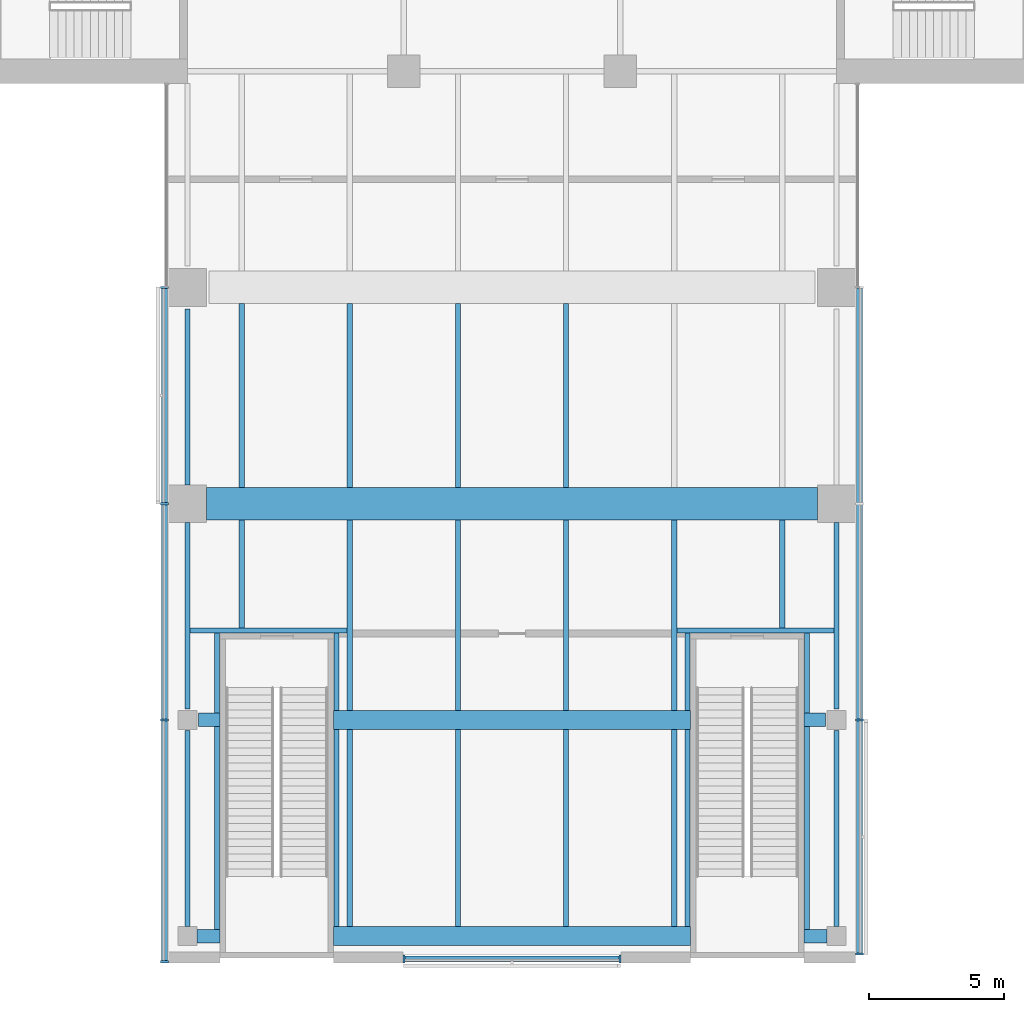
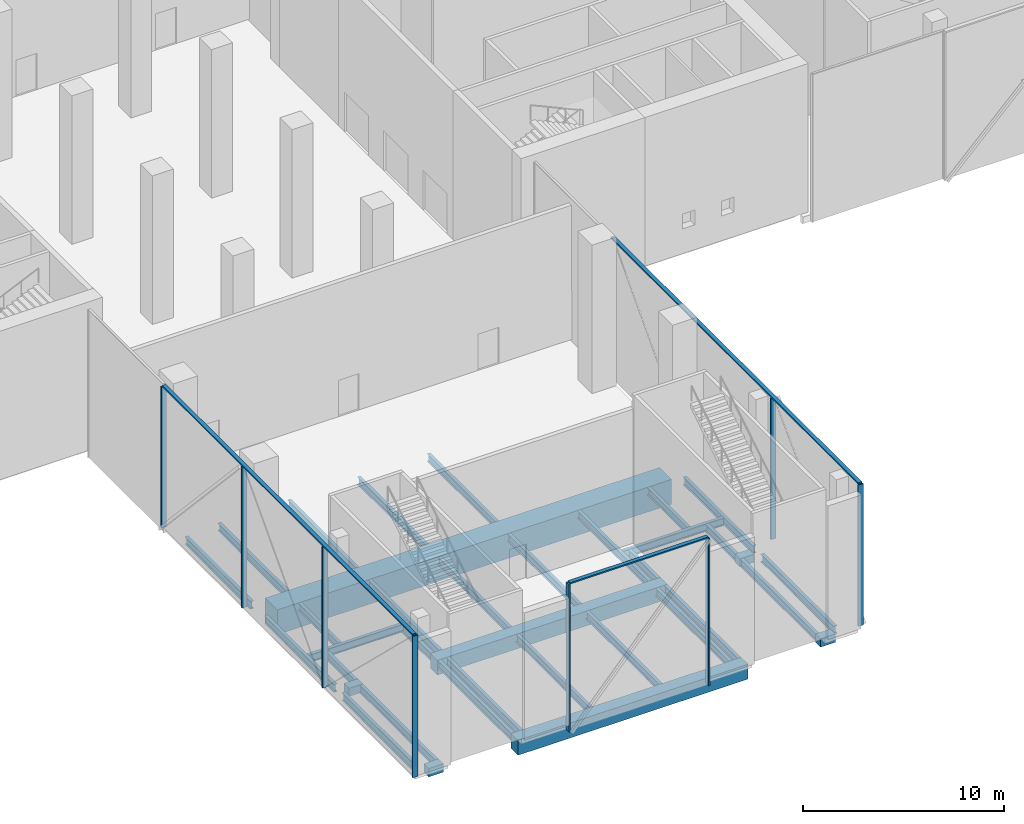
# One storey, part 2 of 26: 36 beams, 11 members, 3 elements without a shape of their own.
"""IFC4 building model written with IfcOpenShell, lengths in metres."""

from ifc_helpers import new_model, si_unit, direction, frame, origin, origin_2d, place, context, subcontext, project, spatial, rectangle, i_section, extrude, material, material_profile, profile_set, type_object, element, aggregate, save


model = new_model("IFC4")

# Units and contexts
model_context = context("Model", 3, precision=1e-05, world=origin(), true_north=direction((0.0, 1.0)))
body_context = subcontext(model_context, "Body", "Model", "MODEL_VIEW")
ifc_project = project(units=[si_unit("LENGTHUNIT", "METRE"), si_unit("AREAUNIT", "SQUARE_METRE"), si_unit("VOLUMEUNIT", "CUBIC_METRE"), si_unit("PLANEANGLEUNIT", "RADIAN"), si_unit("MASSUNIT", "GRAM", prefix="KILO")], contexts=[model_context])

# Site, building, storey
site_placement = place(None, origin())
site = spatial("IfcSite", under=ifc_project, at=site_placement, CompositionType="ELEMENT")
building_placement = place(site_placement, origin())
building = spatial("IfcBuilding", under=site, at=building_placement, Name="Crosswind Convention Tower", CompositionType="ELEMENT")
storey_placement = place(building_placement, frame((0.0, 0.0, 25.0)))
storey = spatial("IfcBuildingStorey", under=building, at=storey_placement, Name="L03", CompositionType="ELEMENT", Elevation=25.0)

# Beams
ifc_material_1 = material(Name="Steel S355", Category="steel")
ifc_material_profile_1 = material_profile(ifc_material_1, i_section(OverallWidth=0.19287109375, OverallDepth=0.467529296875, WebThickness=0.011474609375, FlangeThickness=0.01953125, FilletRadius=0.01025390625, at=origin_2d()), Name="UB 457x191x98")
ifc_profile_set_1 = profile_set([ifc_material_profile_1], Name="Steel S355")
beam_type_1 = type_object("IfcBeamType", Name="Edge beam UB 457x191x98", PredefinedType="SPANDREL", material=ifc_profile_set_1)
beam_1_placement = place(storey_placement, frame((113.0, 56.35009765625, -0.6337890625), z_axis=(0.0, 1.0, 0.0), x_axis=(-1.0, 0.0, 0.0)))
element("IfcBeam", 1, at=beam_1_placement, inside=storey, type_object=beam_type_1, Name="B20 L03 edge beam 5", PredefinedType="SPANDREL", context=body_context, shape_type="SweptSolid", body=[
    extrude(i_section(OverallWidth=0.19287109375, OverallDepth=0.467529296875, WebThickness=0.011474609375, FlangeThickness=0.01953125, FilletRadius=0.01025390625, at=origin_2d()), origin(), (0.0, 0.0, 1.0), 7.25),
])
beam_2_placement = place(storey_placement, frame((113.0, 64.39990234375, -0.6337890625), z_axis=(0.0, 1.0, 0.0), x_axis=(-1.0, 0.0, 0.0)))
element("IfcBeam", 2, at=beam_2_placement, inside=storey, type_object=beam_type_1, Name="B20 L03 edge beam 6", PredefinedType="SPANDREL", context=body_context, shape_type="SweptSolid", body=[
    extrude(i_section(OverallWidth=0.19287109375, OverallDepth=0.467529296875, WebThickness=0.011474609375, FlangeThickness=0.01953125, FilletRadius=0.01025390625, at=origin_2d()), origin(), (0.0, 0.0, 1.0), 6.900146484375),
])
beam_3_placement = place(storey_placement, frame((113.0, 72.699951171875, -0.6337890625), z_axis=(0.0, 1.0, 0.0), x_axis=(-1.0, 0.0, 0.0)))
element("IfcBeam", 3, at=beam_3_placement, inside=storey, type_object=beam_type_1, Name="B20 L03 edge beam 7", PredefinedType="SPANDREL", context=body_context, shape_type="SweptSolid", body=[
    extrude(i_section(OverallWidth=0.19287109375, OverallDepth=0.467529296875, WebThickness=0.011474609375, FlangeThickness=0.01953125, FilletRadius=0.01025390625, at=origin_2d()), origin(), (0.0, 0.0, 1.0), 6.5),
])
beam_4_placement = place(storey_placement, frame((137.0, 56.35009765625, -0.6337890625), z_axis=(0.0, 1.0, 0.0), x_axis=(-1.0, 0.0, 0.0)))
element("IfcBeam", 4, at=beam_4_placement, inside=storey, type_object=beam_type_1, Name="B20 L03 edge beam 13", PredefinedType="SPANDREL", context=body_context, shape_type="SweptSolid", body=[
    extrude(i_section(OverallWidth=0.19287109375, OverallDepth=0.467529296875, WebThickness=0.011474609375, FlangeThickness=0.01953125, FilletRadius=0.01025390625, at=origin_2d()), origin(), (0.0, 0.0, 1.0), 7.25),
])
beam_5_placement = place(storey_placement, frame((137.0, 64.39990234375, -0.6337890625), z_axis=(0.0, 1.0, 0.0), x_axis=(-1.0, 0.0, 0.0)))
element("IfcBeam", 5, at=beam_5_placement, inside=storey, type_object=beam_type_1, Name="B20 L03 edge beam 14", PredefinedType="SPANDREL", context=body_context, shape_type="SweptSolid", body=[
    extrude(i_section(OverallWidth=0.19287109375, OverallDepth=0.467529296875, WebThickness=0.011474609375, FlangeThickness=0.01953125, FilletRadius=0.01025390625, at=origin_2d()), origin(), (0.0, 0.0, 1.0), 6.900146484375),
])

# Curtain wall, members
ifc_material_2 = material(Name="Aluminium unitised curtain wall", Category="aluminium")
curtain_wall_type = type_object("IfcCurtainWallType", Name="PODIUM UNITISED WALL 300", PredefinedType="USERDEFINED", material=ifc_material_2)
curtain_wall_1_placement = place(storey_placement, origin())
curtain_wall_1 = element("IfcCurtainWall", 6, at=curtain_wall_1_placement, inside=storey, type_object=curtain_wall_type, Name="CW1 L03 S-W 1", ObjectType="UNITISED", PredefinedType="USERDEFINED")
ifc_material_3 = material(Name="Aluminium mullion", Category="aluminium")
ifc_material_profile_2 = material_profile(ifc_material_3, rectangle(XDim=0.300048828125, YDim=0.080078125, at=origin_2d()), Name="AL 300X80")
ifc_profile_set_2 = profile_set([ifc_material_profile_2], Name="Aluminium mullion")
member_type_1 = type_object("IfcMemberType", Name="MULLION 80X300", PredefinedType="MULLION", material=ifc_profile_set_2)
member_1_placement = place(storey_placement, frame((112.14990234375, 80.0, -0.044921875), z_axis=(0.0, 0.0, 1.0), x_axis=(-1.0, 0.0, 0.0)))
member_1 = element("IfcMember", 7, at=member_1_placement, type_object=member_type_1, Name="CW1 mullion 1", PredefinedType="MULLION", context=body_context, shape_type="SweptSolid", body=[
    extrude(rectangle(XDim=0.300048828125, YDim=0.080078125, at=origin_2d()), origin(), (0.0, 0.0, 1.0), 8.56494140625),
])
member_2_placement = place(storey_placement, frame((112.14990234375, 72.0, -0.044921875), z_axis=(0.0, 0.0, 1.0), x_axis=(-1.0, 0.0, 0.0)))
member_2 = element("IfcMember", 8, at=member_2_placement, type_object=member_type_1, Name="CW1 mullion 2", PredefinedType="MULLION", context=body_context, shape_type="SweptSolid", body=[
    extrude(rectangle(XDim=0.300048828125, YDim=0.080078125, at=origin_2d()), origin(), (0.0, 0.0, 1.0), 8.56494140625),
])
member_3_placement = place(storey_placement, frame((112.14990234375, 64.0, -0.044921875), z_axis=(0.0, 0.0, 1.0), x_axis=(-1.0, 0.0, 0.0)))
member_3 = element("IfcMember", 9, at=member_3_placement, type_object=member_type_1, Name="CW1 mullion 3", PredefinedType="MULLION", context=body_context, shape_type="SweptSolid", body=[
    extrude(rectangle(XDim=0.300048828125, YDim=0.080078125, at=origin_2d()), origin(), (0.0, 0.0, 1.0), 8.56494140625),
])
member_4_placement = place(storey_placement, frame((112.14990234375, 55.054931640625, -0.044921875), z_axis=(0.0, 0.0, 1.0), x_axis=(-1.0, 0.0, 0.0)))
member_4 = element("IfcMember", 10, at=member_4_placement, type_object=member_type_1, Name="CW1 mullion 4", PredefinedType="MULLION", context=body_context, shape_type="SweptSolid", body=[
    extrude(rectangle(XDim=0.300048828125, YDim=0.080078125, at=origin_2d()), origin(), (0.0, 0.0, 1.0), 8.56494140625),
])

curtain_wall_2_placement = place(storey_placement, origin())
curtain_wall_2 = element("IfcCurtainWall", 11, at=curtain_wall_2_placement, inside=storey, type_object=curtain_wall_type, Name="CW1 L03 S-TIP 1", ObjectType="UNITISED", PredefinedType="USERDEFINED")
member_5_placement = place(storey_placement, frame((121.0, 55.14990234375, -0.39990234375), z_axis=(0.0, 0.0, 1.0), x_axis=(0.0, -1.0, 0.0)))
member_5 = element("IfcMember", 12, at=member_5_placement, type_object=member_type_1, Name="CW1 mullion 1", PredefinedType="MULLION", context=body_context, shape_type="SweptSolid", body=[
    extrude(rectangle(XDim=0.300048828125, YDim=0.080078125, at=origin_2d()), origin(), (0.0, 0.0, 1.0), 8.919921875),
])
member_6_placement = place(storey_placement, frame((129.0, 55.14990234375, -0.39990234375), z_axis=(0.0, 0.0, 1.0), x_axis=(0.0, -1.0, 0.0)))
member_6 = element("IfcMember", 13, at=member_6_placement, type_object=member_type_1, Name="CW1 mullion 2", PredefinedType="MULLION", context=body_context, shape_type="SweptSolid", body=[
    extrude(rectangle(XDim=0.300048828125, YDim=0.080078125, at=origin_2d()), origin(), (0.0, 0.0, 1.0), 8.919921875),
])

curtain_wall_3_placement = place(storey_placement, origin())
curtain_wall_3 = element("IfcCurtainWall", 14, at=curtain_wall_3_placement, inside=storey, type_object=curtain_wall_type, Name="CW1 L03 S-E 1", ObjectType="UNITISED", PredefinedType="USERDEFINED")
member_7_placement = place(storey_placement, frame((137.85009765625, 55.340087890625, -0.044921875), z_axis=(0.0, 0.0, 1.0), x_axis=(1.0, 0.0, 0.0)))
member_7 = element("IfcMember", 15, at=member_7_placement, type_object=member_type_1, Name="CW1 mullion 1", PredefinedType="MULLION", context=body_context, shape_type="SweptSolid", body=[
    extrude(rectangle(XDim=0.300048828125, YDim=0.080078125, at=origin_2d()), origin(), (0.0, 0.0, 1.0), 8.56494140625),
])
member_8_placement = place(storey_placement, frame((137.85009765625, 64.0, -0.044921875), z_axis=(0.0, 0.0, 1.0), x_axis=(1.0, 0.0, 0.0)))
member_8 = element("IfcMember", 16, at=member_8_placement, type_object=member_type_1, Name="CW1 mullion 2", PredefinedType="MULLION", context=body_context, shape_type="SweptSolid", body=[
    extrude(rectangle(XDim=0.300048828125, YDim=0.080078125, at=origin_2d()), origin(), (0.0, 0.0, 1.0), 8.56494140625),
])

# Beams
ifc_material_4 = material(Name="Concrete C70/85", Category="concrete")
ifc_material_profile_3 = material_profile(ifc_material_4, rectangle(XDim=1.199951171875, YDim=1.5, at=origin_2d()), Name="RC 1200X1500")
ifc_profile_set_3 = profile_set([ifc_material_profile_3], Name="Concrete C70/85")
beam_type_2 = type_object("IfcBeamType", Name="Prestressed concrete girder RC 1200X1500", PredefinedType="BEAM", material=ifc_profile_set_3)
beam_6_placement = place(storey_placement, frame((113.699951171875, 72.0, -1.14990234375), z_axis=(1.0, 0.0, 0.0), x_axis=(0.0, 1.0, 0.0)))
element("IfcBeam", 17, at=beam_6_placement, inside=storey, type_object=beam_type_2, Name="B39 L03 prestressed concrete girder 1", PredefinedType="BEAM", context=body_context, shape_type="SweptSolid", body=[
    extrude(rectangle(XDim=1.199951171875, YDim=1.5, at=origin_2d()), origin(), (0.0, 0.0, 1.0), 22.60009765625),
])
ifc_material_5 = material(Name="Concrete C60/75", Category="concrete")
ifc_material_profile_4 = material_profile(ifc_material_5, rectangle(XDim=0.699951171875, YDim=0.89990234375, at=origin_2d()), Name="RC 700X900")
ifc_profile_set_4 = profile_set([ifc_material_profile_4], Name="Concrete C60/75")
beam_type_3 = type_object("IfcBeamType", Name="Prestressed concrete girder between stair walls RC 700X900", PredefinedType="BEAM", material=ifc_profile_set_4)
for number, where, z_axis, x_axis, name in (
    (18, (118.39990234375, 56.0, -0.85009765625), (1.0, 0.0, 0.0), (0.0, 1.0, 0.0), "B41 L03 prestressed concrete girder between stair walls 3"),
    (19, (118.39990234375, 64.0, -0.85009765625), (1.0, 0.0, 0.0), (0.0, 1.0, 0.0), "B41 L03 prestressed concrete girder between stair walls 4"),
):
    element("IfcBeam", number, at=place(storey_placement, frame(where, z_axis=z_axis, x_axis=x_axis)), inside=storey, type_object=beam_type_3, Name=name, PredefinedType="BEAM", context=body_context, shape_type="SweptSolid", body=[
        extrude(rectangle(XDim=0.699951171875, YDim=0.89990234375, at=origin_2d()), origin(), (0.0, 0.0, 1.0), 13.2001953125),
    ])
ifc_material_profile_5 = material_profile(ifc_material_1, i_section(OverallWidth=0.19140625, OverallDepth=0.460205078125, WebThickness=0.010009765625, FlangeThickness=0.01611328125, FilletRadius=0.01025390625, at=origin_2d()), Name="UB 457x191x82")
ifc_profile_set_5 = profile_set([ifc_material_profile_5], Name="Steel S355")
beam_type_4 = type_object("IfcBeamType", Name="Secondary beam UB 457x191x82", PredefinedType="JOIST", material=ifc_profile_set_5)
beam_7_placement = place(storey_placement, frame((115.0, 67.406005859375, -0.630126953125), z_axis=(0.0, 1.0, 0.0), x_axis=(-1.0, 0.0, 0.0)))
element("IfcBeam", 20, at=beam_7_placement, inside=storey, type_object=beam_type_4, Name="B13 L03 secondary beam 14", PredefinedType="JOIST", context=body_context, shape_type="SweptSolid", body=[
    extrude(i_section(OverallWidth=0.19140625, OverallDepth=0.460205078125, WebThickness=0.010009765625, FlangeThickness=0.01611328125, FilletRadius=0.01025390625, at=origin_2d()), origin(), (0.0, 0.0, 1.0), 3.993896484375),
])
beam_8_placement = place(storey_placement, frame((115.0, 72.60009765625, -0.630126953125), z_axis=(0.0, 1.0, 0.0), x_axis=(-1.0, 0.0, 0.0)))
element("IfcBeam", 21, at=beam_8_placement, inside=storey, type_object=beam_type_4, Name="B13 L03 secondary beam 15", PredefinedType="JOIST", context=body_context, shape_type="SweptSolid", body=[
    extrude(i_section(OverallWidth=0.19140625, OverallDepth=0.460205078125, WebThickness=0.010009765625, FlangeThickness=0.01611328125, FilletRadius=0.01025390625, at=origin_2d()), origin(), (0.0, 0.0, 1.0), 6.7998046875),
])
beam_9_placement = place(storey_placement, frame((119.0, 56.35009765625, -0.630126953125), z_axis=(0.0, 1.0, 0.0), x_axis=(-1.0, 0.0, 0.0)))
element("IfcBeam", 22, at=beam_9_placement, inside=storey, type_object=beam_type_4, Name="B13 L03 secondary beam 20", PredefinedType="JOIST", context=body_context, shape_type="SweptSolid", body=[
    extrude(i_section(OverallWidth=0.19140625, OverallDepth=0.460205078125, WebThickness=0.010009765625, FlangeThickness=0.01611328125, FilletRadius=0.01025390625, at=origin_2d()), origin(), (0.0, 0.0, 1.0), 7.2998046875),
])
beam_10_placement = place(storey_placement, frame((119.0, 64.35009765625, -0.630126953125), z_axis=(0.0, 1.0, 0.0), x_axis=(-1.0, 0.0, 0.0)))
element("IfcBeam", 23, at=beam_10_placement, inside=storey, type_object=beam_type_4, Name="B13 L03 secondary beam 21", PredefinedType="JOIST", context=body_context, shape_type="SweptSolid", body=[
    extrude(i_section(OverallWidth=0.19140625, OverallDepth=0.460205078125, WebThickness=0.010009765625, FlangeThickness=0.01611328125, FilletRadius=0.01025390625, at=origin_2d()), origin(), (0.0, 0.0, 1.0), 7.0498046875),
])
beam_11_placement = place(storey_placement, frame((119.0, 72.60009765625, -0.630126953125), z_axis=(0.0, 1.0, 0.0), x_axis=(-1.0, 0.0, 0.0)))
element("IfcBeam", 24, at=beam_11_placement, inside=storey, type_object=beam_type_4, Name="B13 L03 secondary beam 22", PredefinedType="JOIST", context=body_context, shape_type="SweptSolid", body=[
    extrude(i_section(OverallWidth=0.19140625, OverallDepth=0.460205078125, WebThickness=0.010009765625, FlangeThickness=0.01611328125, FilletRadius=0.01025390625, at=origin_2d()), origin(), (0.0, 0.0, 1.0), 6.7998046875),
])
beam_12_placement = place(storey_placement, frame((123.0, 56.35009765625, -0.630126953125), z_axis=(0.0, 1.0, 0.0), x_axis=(-1.0, 0.0, 0.0)))
element("IfcBeam", 25, at=beam_12_placement, inside=storey, type_object=beam_type_4, Name="B13 L03 secondary beam 31", PredefinedType="JOIST", context=body_context, shape_type="SweptSolid", body=[
    extrude(i_section(OverallWidth=0.19140625, OverallDepth=0.460205078125, WebThickness=0.010009765625, FlangeThickness=0.01611328125, FilletRadius=0.01025390625, at=origin_2d()), origin(), (0.0, 0.0, 1.0), 7.2998046875),
])
beam_13_placement = place(storey_placement, frame((123.0, 64.35009765625, -0.630126953125), z_axis=(0.0, 1.0, 0.0), x_axis=(-1.0, 0.0, 0.0)))
element("IfcBeam", 26, at=beam_13_placement, inside=storey, type_object=beam_type_4, Name="B13 L03 secondary beam 32", PredefinedType="JOIST", context=body_context, shape_type="SweptSolid", body=[
    extrude(i_section(OverallWidth=0.19140625, OverallDepth=0.460205078125, WebThickness=0.010009765625, FlangeThickness=0.01611328125, FilletRadius=0.01025390625, at=origin_2d()), origin(), (0.0, 0.0, 1.0), 7.0498046875),
])
beam_14_placement = place(storey_placement, frame((123.0, 72.60009765625, -0.630126953125), z_axis=(0.0, 1.0, 0.0), x_axis=(-1.0, 0.0, 0.0)))
element("IfcBeam", 27, at=beam_14_placement, inside=storey, type_object=beam_type_4, Name="B13 L03 secondary beam 33", PredefinedType="JOIST", context=body_context, shape_type="SweptSolid", body=[
    extrude(i_section(OverallWidth=0.19140625, OverallDepth=0.460205078125, WebThickness=0.010009765625, FlangeThickness=0.01611328125, FilletRadius=0.01025390625, at=origin_2d()), origin(), (0.0, 0.0, 1.0), 6.7998046875),
])
beam_15_placement = place(storey_placement, frame((127.0, 56.35009765625, -0.630126953125), z_axis=(0.0, 1.0, 0.0), x_axis=(-1.0, 0.0, 0.0)))
element("IfcBeam", 28, at=beam_15_placement, inside=storey, type_object=beam_type_4, Name="B13 L03 secondary beam 39", PredefinedType="JOIST", context=body_context, shape_type="SweptSolid", body=[
    extrude(i_section(OverallWidth=0.19140625, OverallDepth=0.460205078125, WebThickness=0.010009765625, FlangeThickness=0.01611328125, FilletRadius=0.01025390625, at=origin_2d()), origin(), (0.0, 0.0, 1.0), 7.2998046875),
])
beam_16_placement = place(storey_placement, frame((127.0, 64.35009765625, -0.630126953125), z_axis=(0.0, 1.0, 0.0), x_axis=(-1.0, 0.0, 0.0)))
element("IfcBeam", 29, at=beam_16_placement, inside=storey, type_object=beam_type_4, Name="B13 L03 secondary beam 40", PredefinedType="JOIST", context=body_context, shape_type="SweptSolid", body=[
    extrude(i_section(OverallWidth=0.19140625, OverallDepth=0.460205078125, WebThickness=0.010009765625, FlangeThickness=0.01611328125, FilletRadius=0.01025390625, at=origin_2d()), origin(), (0.0, 0.0, 1.0), 7.0498046875),
])
beam_17_placement = place(storey_placement, frame((127.0, 72.60009765625, -0.630126953125), z_axis=(0.0, 1.0, 0.0), x_axis=(-1.0, 0.0, 0.0)))
element("IfcBeam", 30, at=beam_17_placement, inside=storey, type_object=beam_type_4, Name="B13 L03 secondary beam 41", PredefinedType="JOIST", context=body_context, shape_type="SweptSolid", body=[
    extrude(i_section(OverallWidth=0.19140625, OverallDepth=0.460205078125, WebThickness=0.010009765625, FlangeThickness=0.01611328125, FilletRadius=0.01025390625, at=origin_2d()), origin(), (0.0, 0.0, 1.0), 6.7998046875),
])
beam_18_placement = place(storey_placement, frame((131.0, 56.35009765625, -0.630126953125), z_axis=(0.0, 1.0, 0.0), x_axis=(-1.0, 0.0, 0.0)))
element("IfcBeam", 31, at=beam_18_placement, inside=storey, type_object=beam_type_4, Name="B13 L03 secondary beam 50", PredefinedType="JOIST", context=body_context, shape_type="SweptSolid", body=[
    extrude(i_section(OverallWidth=0.19140625, OverallDepth=0.460205078125, WebThickness=0.010009765625, FlangeThickness=0.01611328125, FilletRadius=0.01025390625, at=origin_2d()), origin(), (0.0, 0.0, 1.0), 7.2998046875),
])
beam_19_placement = place(storey_placement, frame((131.0, 64.35009765625, -0.630126953125), z_axis=(0.0, 1.0, 0.0), x_axis=(-1.0, 0.0, 0.0)))
element("IfcBeam", 32, at=beam_19_placement, inside=storey, type_object=beam_type_4, Name="B13 L03 secondary beam 51", PredefinedType="JOIST", context=body_context, shape_type="SweptSolid", body=[
    extrude(i_section(OverallWidth=0.19140625, OverallDepth=0.460205078125, WebThickness=0.010009765625, FlangeThickness=0.01611328125, FilletRadius=0.01025390625, at=origin_2d()), origin(), (0.0, 0.0, 1.0), 7.0498046875),
])
beam_20_placement = place(storey_placement, frame((135.0, 67.406005859375, -0.630126953125), z_axis=(0.0, 1.0, 0.0), x_axis=(-1.0, 0.0, 0.0)))
element("IfcBeam", 33, at=beam_20_placement, inside=storey, type_object=beam_type_4, Name="B13 L03 secondary beam 58", PredefinedType="JOIST", context=body_context, shape_type="SweptSolid", body=[
    extrude(i_section(OverallWidth=0.19140625, OverallDepth=0.460205078125, WebThickness=0.010009765625, FlangeThickness=0.01611328125, FilletRadius=0.01025390625, at=origin_2d()), origin(), (0.0, 0.0, 1.0), 3.993896484375),
])
ifc_material_profile_6 = material_profile(ifc_material_5, rectangle(XDim=0.5, YDim=0.5, at=origin_2d()), Name="RC 500X500")
ifc_profile_set_6 = profile_set([ifc_material_profile_6], Name="Concrete C60/75")
beam_type_5 = type_object("IfcBeamType", Name="Slab edge tie beam RC 500X500", PredefinedType="BEAM", material=ifc_profile_set_6)
beam_21_placement = place(storey_placement, frame((113.35009765625, 56.0, -0.64990234375), z_axis=(1.0, 0.0, 0.0), x_axis=(0.0, 1.0, 0.0)))
element("IfcBeam", 34, at=beam_21_placement, inside=storey, type_object=beam_type_5, Name="B42 L03 slab edge tie beam 5", PredefinedType="BEAM", context=body_context, shape_type="SweptSolid", body=[
    extrude(rectangle(XDim=0.5, YDim=0.5, at=origin_2d()), origin(), (0.0, 0.0, 1.0), 0.849853515625),
])
beam_22_placement = place(storey_placement, frame((113.39990234375, 64.0, -0.64990234375), z_axis=(1.0, 0.0, 0.0), x_axis=(0.0, 1.0, 0.0)))
element("IfcBeam", 35, at=beam_22_placement, inside=storey, type_object=beam_type_5, Name="B42 L03 slab edge tie beam 7", PredefinedType="BEAM", context=body_context, shape_type="SweptSolid", body=[
    extrude(rectangle(XDim=0.5, YDim=0.5, at=origin_2d()), origin(), (0.0, 0.0, 1.0), 0.800048828125),
])
beam_23_placement = place(storey_placement, frame((135.800048828125, 56.0, -0.64990234375), z_axis=(1.0, 0.0, 0.0), x_axis=(0.0, 1.0, 0.0)))
element("IfcBeam", 36, at=beam_23_placement, inside=storey, type_object=beam_type_5, Name="B42 L03 slab edge tie beam 9", PredefinedType="BEAM", context=body_context, shape_type="SweptSolid", body=[
    extrude(rectangle(XDim=0.5, YDim=0.5, at=origin_2d()), origin(), (0.0, 0.0, 1.0), 0.849853515625),
])
beam_24_placement = place(storey_placement, frame((135.800048828125, 64.0, -0.64990234375), z_axis=(1.0, 0.0, 0.0), x_axis=(0.0, 1.0, 0.0)))
element("IfcBeam", 37, at=beam_24_placement, inside=storey, type_object=beam_type_5, Name="B42 L03 slab edge tie beam 10", PredefinedType="BEAM", context=body_context, shape_type="SweptSolid", body=[
    extrude(rectangle(XDim=0.5, YDim=0.5, at=origin_2d()), origin(), (0.0, 0.0, 1.0), 0.800048828125),
])

# Member
ifc_material_6 = material(Name="Aluminium transom", Category="aluminium")
ifc_material_profile_7 = material_profile(ifc_material_6, rectangle(XDim=0.219970703125, YDim=0.080078125, at=origin_2d()), Name="AL 220X80")
ifc_profile_set_7 = profile_set([ifc_material_profile_7], Name="Aluminium transom")
member_type_2 = type_object("IfcMemberType", Name="TRANSOM 80X220", PredefinedType="USERDEFINED", material=ifc_profile_set_7)
member_9_placement = place(storey_placement, frame((112.14990234375, 79.9599609375, 8.56005859375), z_axis=(0.0, -1.0, 0.0), x_axis=(1.0, 0.0, 0.0)))
member_9 = element("IfcMember", 38, at=member_9_placement, type_object=member_type_2, Name="CW1 transom", ObjectType="TRANSOM", PredefinedType="USERDEFINED", context=body_context, shape_type="SweptSolid", body=[
    extrude(rectangle(XDim=0.219970703125, YDim=0.080078125, at=origin_2d()), origin(), (0.0, 0.0, 1.0), 24.864990234375),
])

aggregate(curtain_wall_1, [member_1, member_2, member_3, member_4, member_9])

member_10_placement = place(storey_placement, frame((121.0400390625, 55.14990234375, 8.56005859375), z_axis=(1.0, 0.0, 0.0), x_axis=(0.0, 1.0, 0.0)))
member_10 = element("IfcMember", 39, at=member_10_placement, type_object=member_type_2, Name="CW1 transom", ObjectType="TRANSOM", PredefinedType="USERDEFINED", context=body_context, shape_type="SweptSolid", body=[
    extrude(rectangle(XDim=0.219970703125, YDim=0.080078125, at=origin_2d()), origin(), (0.0, 0.0, 1.0), 7.919921875),
])

aggregate(curtain_wall_2, [member_5, member_6, member_10])

member_11_placement = place(storey_placement, frame((137.85009765625, 55.3798828125, 8.56005859375), z_axis=(0.0, 1.0, 0.0), x_axis=(-1.0, 0.0, 0.0)))
member_11 = element("IfcMember", 40, at=member_11_placement, type_object=member_type_2, Name="CW1 transom", ObjectType="TRANSOM", PredefinedType="USERDEFINED", context=body_context, shape_type="SweptSolid", body=[
    extrude(rectangle(XDim=0.219970703125, YDim=0.080078125, at=origin_2d()), origin(), (0.0, 0.0, 1.0), 24.580078125),
])

aggregate(curtain_wall_3, [member_7, member_8, member_11])

# Beams
ifc_material_profile_8 = material_profile(ifc_material_1, i_section(OverallWidth=0.19189453125, OverallDepth=0.463623046875, WebThickness=0.010498046875, FlangeThickness=0.017578125, FilletRadius=0.01025390625, at=origin_2d()), Name="UB 457x191x90")
ifc_profile_set_8 = profile_set([ifc_material_profile_8], Name="Steel S355")
beam_type_6 = type_object("IfcBeamType", Name="Trimmer beam UB 457x191x90", PredefinedType="BEAM", material=ifc_profile_set_8)
beam_25_placement = place(storey_placement, frame((113.096435546875, 67.31005859375, -0.6318359375), z_axis=(1.0, 0.0, 0.0), x_axis=(0.0, 1.0, 0.0)))
element("IfcBeam", 41, at=beam_25_placement, inside=storey, type_object=beam_type_6, Name="B33 L03 trimmer beam 11", PredefinedType="BEAM", context=body_context, shape_type="SweptSolid", body=[
    extrude(i_section(OverallWidth=0.19189453125, OverallDepth=0.463623046875, WebThickness=0.010498046875, FlangeThickness=0.017578125, FilletRadius=0.01025390625, at=origin_2d()), origin(), (0.0, 0.0, 1.0), 5.807861328125),
])
beam_26_placement = place(storey_placement, frame((114.090087890625, 63.75, -0.6318359375), z_axis=(0.0, -1.0, 0.0), x_axis=(1.0, 0.0, 0.0)))
element("IfcBeam", 42, at=beam_26_placement, inside=storey, type_object=beam_type_6, Name="B33 L03 trimmer beam 13", PredefinedType="BEAM", context=body_context, shape_type="SweptSolid", body=[
    extrude(i_section(OverallWidth=0.19189453125, OverallDepth=0.463623046875, WebThickness=0.010498046875, FlangeThickness=0.017578125, FilletRadius=0.01025390625, at=origin_2d()), origin(), (0.0, 0.0, 1.0), 7.5),
])
beam_27_placement = place(storey_placement, frame((114.090087890625, 67.214111328125, -0.6318359375), z_axis=(0.0, -1.0, 0.0), x_axis=(1.0, 0.0, 0.0)))
element("IfcBeam", 43, at=beam_27_placement, inside=storey, type_object=beam_type_6, Name="B33 L03 trimmer beam 14", PredefinedType="BEAM", context=body_context, shape_type="SweptSolid", body=[
    extrude(i_section(OverallWidth=0.19189453125, OverallDepth=0.463623046875, WebThickness=0.010498046875, FlangeThickness=0.017578125, FilletRadius=0.01025390625, at=origin_2d()), origin(), (0.0, 0.0, 1.0), 2.964111328125),
])
beam_28_placement = place(storey_placement, frame((118.510009765625, 63.64990234375, -0.6318359375), z_axis=(0.0, -1.0, 0.0), x_axis=(1.0, 0.0, 0.0)))
element("IfcBeam", 44, at=beam_28_placement, inside=storey, type_object=beam_type_6, Name="B33 L03 trimmer beam 17", PredefinedType="BEAM", context=body_context, shape_type="SweptSolid", body=[
    extrude(i_section(OverallWidth=0.19189453125, OverallDepth=0.463623046875, WebThickness=0.010498046875, FlangeThickness=0.017578125, FilletRadius=0.01025390625, at=origin_2d()), origin(), (0.0, 0.0, 1.0), 7.2998046875),
])
beam_29_placement = place(storey_placement, frame((118.510009765625, 67.214111328125, -0.6318359375), z_axis=(0.0, -1.0, 0.0), x_axis=(1.0, 0.0, 0.0)))
element("IfcBeam", 45, at=beam_29_placement, inside=storey, type_object=beam_type_6, Name="B33 L03 trimmer beam 18", PredefinedType="BEAM", context=body_context, shape_type="SweptSolid", body=[
    extrude(i_section(OverallWidth=0.19189453125, OverallDepth=0.463623046875, WebThickness=0.010498046875, FlangeThickness=0.017578125, FilletRadius=0.01025390625, at=origin_2d()), origin(), (0.0, 0.0, 1.0), 2.864013671875),
])
beam_30_placement = place(storey_placement, frame((131.095703125, 67.31005859375, -0.6318359375), z_axis=(1.0, 0.0, 0.0), x_axis=(0.0, 1.0, 0.0)))
element("IfcBeam", 46, at=beam_30_placement, inside=storey, type_object=beam_type_6, Name="B33 L03 trimmer beam 21", PredefinedType="BEAM", context=body_context, shape_type="SweptSolid", body=[
    extrude(i_section(OverallWidth=0.19189453125, OverallDepth=0.463623046875, WebThickness=0.010498046875, FlangeThickness=0.017578125, FilletRadius=0.01025390625, at=origin_2d()), origin(), (0.0, 0.0, 1.0), 5.807861328125),
])
beam_31_placement = place(storey_placement, frame((131.489990234375, 63.64990234375, -0.6318359375), z_axis=(0.0, -1.0, 0.0), x_axis=(1.0, 0.0, 0.0)))
element("IfcBeam", 47, at=beam_31_placement, inside=storey, type_object=beam_type_6, Name="B33 L03 trimmer beam 23", PredefinedType="BEAM", context=body_context, shape_type="SweptSolid", body=[
    extrude(i_section(OverallWidth=0.19189453125, OverallDepth=0.463623046875, WebThickness=0.010498046875, FlangeThickness=0.017578125, FilletRadius=0.01025390625, at=origin_2d()), origin(), (0.0, 0.0, 1.0), 7.2998046875),
])
beam_32_placement = place(storey_placement, frame((131.489990234375, 67.214111328125, -0.6318359375), z_axis=(0.0, -1.0, 0.0), x_axis=(1.0, 0.0, 0.0)))
element("IfcBeam", 48, at=beam_32_placement, inside=storey, type_object=beam_type_6, Name="B33 L03 trimmer beam 24", PredefinedType="BEAM", context=body_context, shape_type="SweptSolid", body=[
    extrude(i_section(OverallWidth=0.19189453125, OverallDepth=0.463623046875, WebThickness=0.010498046875, FlangeThickness=0.017578125, FilletRadius=0.01025390625, at=origin_2d()), origin(), (0.0, 0.0, 1.0), 2.864013671875),
])
beam_33_placement = place(storey_placement, frame((135.909912109375, 63.75, -0.6318359375), z_axis=(0.0, -1.0, 0.0), x_axis=(1.0, 0.0, 0.0)))
element("IfcBeam", 49, at=beam_33_placement, inside=storey, type_object=beam_type_6, Name="B33 L03 trimmer beam 27", PredefinedType="BEAM", context=body_context, shape_type="SweptSolid", body=[
    extrude(i_section(OverallWidth=0.19189453125, OverallDepth=0.463623046875, WebThickness=0.010498046875, FlangeThickness=0.017578125, FilletRadius=0.01025390625, at=origin_2d()), origin(), (0.0, 0.0, 1.0), 7.5),
])
beam_34_placement = place(storey_placement, frame((135.909912109375, 67.214111328125, -0.6318359375), z_axis=(0.0, -1.0, 0.0), x_axis=(1.0, 0.0, 0.0)))
element("IfcBeam", 50, at=beam_34_placement, inside=storey, type_object=beam_type_6, Name="B33 L03 trimmer beam 28", PredefinedType="BEAM", context=body_context, shape_type="SweptSolid", body=[
    extrude(i_section(OverallWidth=0.19189453125, OverallDepth=0.463623046875, WebThickness=0.010498046875, FlangeThickness=0.017578125, FilletRadius=0.01025390625, at=origin_2d()), origin(), (0.0, 0.0, 1.0), 2.964111328125),
])

save(model, "model.ifc")
